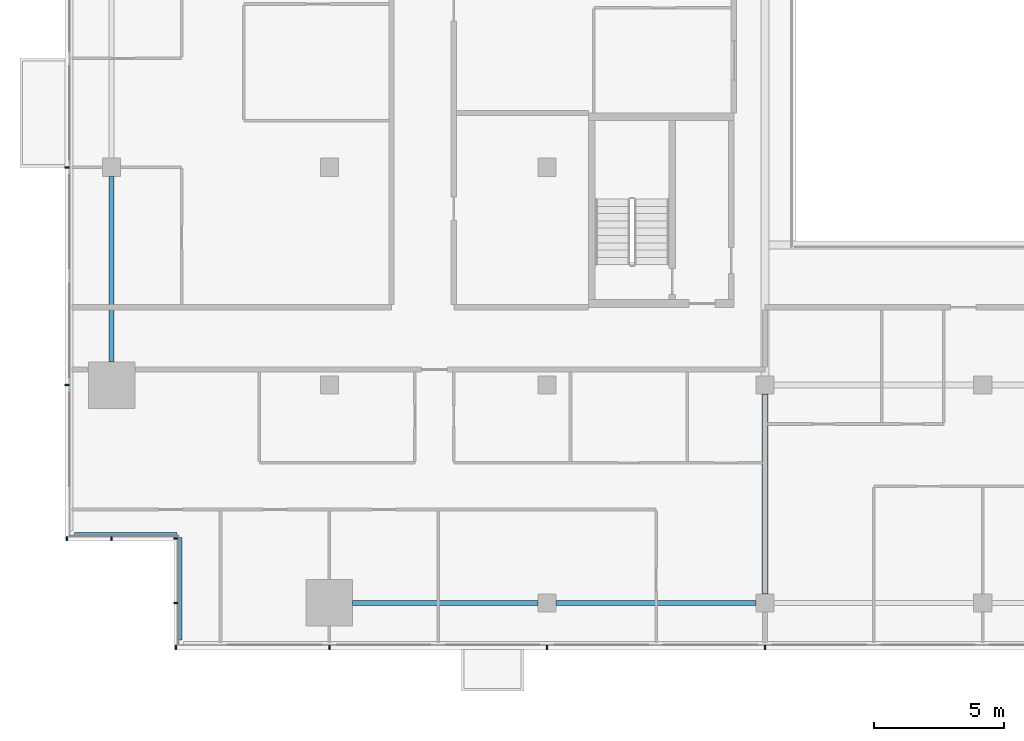
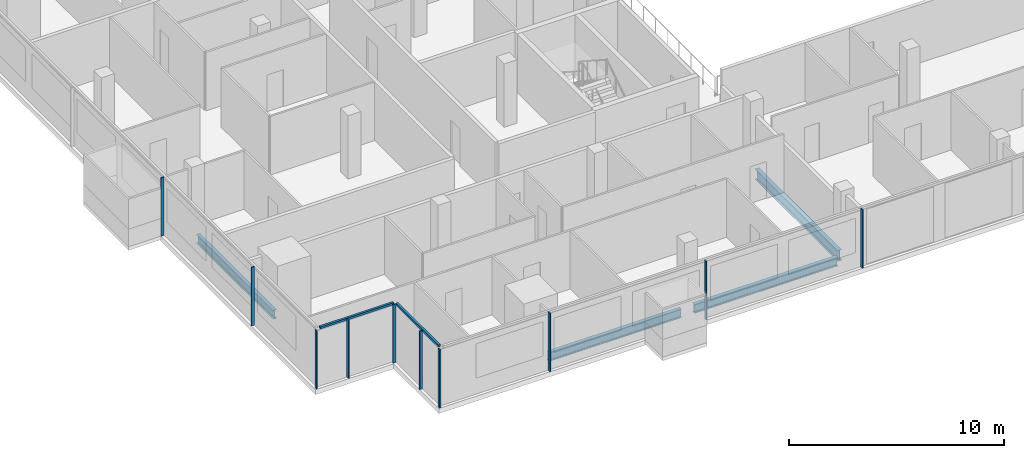
# One storey, part 2 of 28: 12 members, 4 beams, 4 elements without a shape of their own.
"""IFC4 building model written with IfcOpenShell, lengths in metres."""

from ifc_helpers import new_model, si_unit, direction, frame, origin, origin_2d, place, context, subcontext, project, spatial, rectangle, i_section, extrude, material, material_profile, profile_set, type_object, element, aggregate, save


model = new_model("IFC4")

# Units and contexts
model_context = context("Model", 3, precision=1e-05, world=origin(), true_north=direction((0.0, 1.0)))
body_context = subcontext(model_context, "Body", "Model", "MODEL_VIEW")
ifc_project = project(units=[si_unit("LENGTHUNIT", "METRE"), si_unit("AREAUNIT", "SQUARE_METRE"), si_unit("VOLUMEUNIT", "CUBIC_METRE"), si_unit("PLANEANGLEUNIT", "RADIAN"), si_unit("MASSUNIT", "GRAM", prefix="KILO")], contexts=[model_context])

# Site, building, storey
site_placement = place(None, origin())
site = spatial("IfcSite", under=ifc_project, at=site_placement, CompositionType="ELEMENT")
building_placement = place(site_placement, origin())
building = spatial("IfcBuilding", under=site, at=building_placement, Name="Saffron Gate Tower", CompositionType="ELEMENT")
storey_placement = place(building_placement, frame((0.0, 0.0, 176.25)))
storey = spatial("IfcBuildingStorey", under=building, at=storey_placement, Name="L43", CompositionType="ELEMENT", Elevation=176.25)

# Beams
ifc_material_1 = material(Name="Structural steel S355", Category="steel")
ifc_material_profile_1 = material_profile(ifc_material_1, i_section(OverallWidth=0.199951171875, OverallDepth=0.5, WebThickness=0.01025390625, FlangeThickness=0.01611328125, FilletRadius=0.02099609375, at=origin_2d()))
ifc_profile_set_1 = profile_set([ifc_material_profile_1], Name="Structural steel S355")
beam_type_1 = type_object("IfcBeamType", Name="B11 IPE 500", PredefinedType="SPANDREL", material=ifc_profile_set_1)
for number, where, z_axis, x_axis, name in (
    (1, (49.800048828125, 41.10009765625, -0.530029296875), (0.0, 1.0, 0.0), (-1.0, 0.0, 0.0), "B11 SPANDREL BEAM"),
    (2, (59.10009765625, 31.800048828125, -0.530029296875), (1.0, 0.0, 0.0), (0.0, 1.0, 0.0), "B11 SPANDREL BEAM"),
):
    element("IfcBeam", number, at=place(storey_placement, frame(where, z_axis=z_axis, x_axis=x_axis)), inside=storey, type_object=beam_type_1, Name=name, PredefinedType="SPANDREL", context=body_context, shape_type="SweptSolid", body=[
        extrude(i_section(OverallWidth=0.199951171875, OverallDepth=0.5, WebThickness=0.01025390625, FlangeThickness=0.01611328125, FilletRadius=0.02099609375, at=origin_2d()), origin(), (0.0, 0.0, 1.0), 7.14990234375),
    ])
beam_1_placement = place(storey_placement, frame((66.949951171875, 31.800048828125, -0.530029296875), z_axis=(1.0, 0.0, 0.0), x_axis=(0.0, 1.0, 0.0)))
element("IfcBeam", 3, at=beam_1_placement, inside=storey, type_object=beam_type_1, Name="B11 SPANDREL BEAM", PredefinedType="SPANDREL", context=body_context, shape_type="SweptSolid", body=[
    extrude(i_section(OverallWidth=0.199951171875, OverallDepth=0.5, WebThickness=0.01025390625, FlangeThickness=0.01611328125, FilletRadius=0.02099609375, at=origin_2d()), origin(), (0.0, 0.0, 1.0), 7.699951171875),
])
ifc_material_profile_2 = material_profile(ifc_material_1, i_section(OverallWidth=0.219970703125, OverallDepth=0.60009765625, WebThickness=0.011962890625, FlangeThickness=0.01904296875, FilletRadius=0.02392578125, at=origin_2d()))
ifc_profile_set_2 = profile_set([ifc_material_profile_2], Name="Structural steel S355")
beam_type_2 = type_object("IfcBeamType", Name="B15 IPE 600", PredefinedType="BEAM", material=ifc_profile_set_2)
beam_2_placement = place(storey_placement, frame((75.0, 32.14990234375, -0.580078125), z_axis=(0.0, 1.0, 0.0), x_axis=(-1.0, 0.0, 0.0)))
element("IfcBeam", 4, at=beam_2_placement, inside=storey, type_object=beam_type_2, Name="B15 FLOOR GIRDER", PredefinedType="BEAM", context=body_context, shape_type="SweptSolid", body=[
    extrude(i_section(OverallWidth=0.219970703125, OverallDepth=0.60009765625, WebThickness=0.011962890625, FlangeThickness=0.01904296875, FilletRadius=0.02392578125, at=origin_2d()), origin(), (0.0, 0.0, 1.0), 7.7001953125),
])

# Curtain wall, members
ifc_material_2 = material(Name="Aluminium, bronze anodised", Category="aluminium")
curtain_wall_type_1 = type_object("IfcCurtainWallType", Name="CWS1 curtain wall front facade", PredefinedType="NOTDEFINED", material=ifc_material_2)
curtain_wall_1_placement = place(storey_placement, origin())
curtain_wall_1 = element("IfcCurtainWall", 5, at=curtain_wall_1_placement, inside=storey, type_object=curtain_wall_type_1, Name="CWS1 run 1", PredefinedType="NOTDEFINED")
ifc_material_profile_3 = material_profile(ifc_material_2, rectangle(XDim=0.159912109375, YDim=0.06005859375, at=origin_2d()))
ifc_profile_set_3 = profile_set([ifc_material_profile_3], Name="Aluminium, bronze anodised")
member_type_1 = type_object("IfcMemberType", Name="CWS1 mullion 60x160", PredefinedType="MULLION", material=ifc_profile_set_3)
member_1_placement = place(storey_placement, frame((52.280029296875, 30.080078125, 0.0), z_axis=(0.0, 0.0, 1.0), x_axis=(0.0, 1.0, 0.0)))
member_1 = element("IfcMember", 6, at=member_1_placement, type_object=member_type_1, Name="CWS1 mullion 1", PredefinedType="MULLION", context=body_context, shape_type="SweptSolid", body=[
    extrude(rectangle(XDim=0.159912109375, YDim=0.06005859375, at=origin_2d()), origin(), (0.0, 0.0, 1.0), 3.320068359375),
])
member_2_placement = place(storey_placement, frame((58.199951171875, 30.080078125, 0.0), z_axis=(0.0, 0.0, 1.0), x_axis=(0.0, 1.0, 0.0)))
member_2 = element("IfcMember", 7, at=member_2_placement, type_object=member_type_1, Name="CWS1 mullion 2", PredefinedType="MULLION", context=body_context, shape_type="SweptSolid", body=[
    extrude(rectangle(XDim=0.159912109375, YDim=0.06005859375, at=origin_2d()), origin(), (0.0, 0.0, 1.0), 3.320068359375),
])
member_3_placement = place(storey_placement, frame((66.60009765625, 30.080078125, 0.0), z_axis=(0.0, 0.0, 1.0), x_axis=(0.0, 1.0, 0.0)))
member_3 = element("IfcMember", 8, at=member_3_placement, type_object=member_type_1, Name="CWS1 mullion 3", PredefinedType="MULLION", context=body_context, shape_type="SweptSolid", body=[
    extrude(rectangle(XDim=0.159912109375, YDim=0.06005859375, at=origin_2d()), origin(), (0.0, 0.0, 1.0), 3.320068359375),
])
member_4_placement = place(storey_placement, frame((75.0, 30.080078125, 0.0), z_axis=(0.0, 0.0, 1.0), x_axis=(0.0, 1.0, 0.0)))
member_4 = element("IfcMember", 9, at=member_4_placement, type_object=member_type_1, Name="CWS1 mullion 4", PredefinedType="MULLION", context=body_context, shape_type="SweptSolid", body=[
    extrude(rectangle(XDim=0.159912109375, YDim=0.06005859375, at=origin_2d()), origin(), (0.0, 0.0, 1.0), 3.320068359375),
])
aggregate(curtain_wall_1, [member_1, member_2, member_3, member_4])

curtain_wall_type_2 = type_object("IfcCurtainWallType", Name="CWS2 curtain wall side facades", PredefinedType="NOTDEFINED", material=ifc_material_2)
curtain_wall_2_placement = place(storey_placement, origin())
curtain_wall_2 = element("IfcCurtainWall", 10, at=curtain_wall_2_placement, inside=storey, type_object=curtain_wall_type_2, Name="CWS2 run 10", PredefinedType="NOTDEFINED")
ifc_material_profile_4 = material_profile(ifc_material_2, rectangle(XDim=0.159912109375, YDim=0.06005859375, at=origin_2d()))
ifc_profile_set_4 = profile_set([ifc_material_profile_4], Name="Aluminium, bronze anodised")
member_type_2 = type_object("IfcMemberType", Name="CWS2 mullion 60x160", PredefinedType="MULLION", material=ifc_profile_set_4)
member_5_placement = place(storey_placement, frame((48.080078125, 48.60009765625, 0.0), z_axis=(0.0, 0.0, 1.0), x_axis=(1.0, 0.0, 0.0)))
member_5 = element("IfcMember", 11, at=member_5_placement, type_object=member_type_2, Name="CWS2 mullion 4", PredefinedType="MULLION", context=body_context, shape_type="SweptSolid", body=[
    extrude(rectangle(XDim=0.159912109375, YDim=0.06005859375, at=origin_2d()), origin(), (0.0, 0.0, 1.0), 3.320068359375),
])
member_6_placement = place(storey_placement, frame((48.080078125, 40.199951171875, 0.0), z_axis=(0.0, 0.0, 1.0), x_axis=(1.0, 0.0, 0.0)))
member_6 = element("IfcMember", 12, at=member_6_placement, type_object=member_type_2, Name="CWS2 mullion 5", PredefinedType="MULLION", context=body_context, shape_type="SweptSolid", body=[
    extrude(rectangle(XDim=0.159912109375, YDim=0.06005859375, at=origin_2d()), origin(), (0.0, 0.0, 1.0), 3.320068359375),
])
aggregate(curtain_wall_2, [member_5, member_6])

# Curtain wall, member
curtain_wall_type_3 = type_object("IfcCurtainWallType", Name="CWS4 curtain wall corner returns", PredefinedType="NOTDEFINED", material=ifc_material_2)
curtain_wall_3_placement = place(storey_placement, origin())
curtain_wall_3 = element("IfcCurtainWall", 13, at=curtain_wall_3_placement, inside=storey, type_object=curtain_wall_type_3, Name="CWS4 run 11", PredefinedType="NOTDEFINED")
ifc_material_profile_5 = material_profile(ifc_material_2, rectangle(XDim=0.1201171875, YDim=0.1201171875, at=origin_2d()))
ifc_profile_set_5 = profile_set([ifc_material_profile_5], Name="Aluminium, bronze anodised")
member_type_3 = type_object("IfcMemberType", Name="CWS4 head transom", PredefinedType="USERDEFINED", material=ifc_profile_set_5)
member_7_placement = place(storey_placement, frame((48.367919921875, 34.447998046875, 3.260009765625), z_axis=(1.0, 0.0, 0.0), x_axis=(0.0, 1.0, 0.0)))
member_7 = element("IfcMember", 14, at=member_7_placement, type_object=member_type_3, Name="CWS4 head transom", ObjectType="TRANSOM", PredefinedType="USERDEFINED", context=body_context, shape_type="SweptSolid", body=[
    extrude(rectangle(XDim=0.1201171875, YDim=0.1201171875, at=origin_2d()), origin(), (0.0, 0.0, 1.0), 3.9599609375),
])

curtain_wall_4_placement = place(storey_placement, origin())
curtain_wall_4 = element("IfcCurtainWall", 15, at=curtain_wall_4_placement, inside=storey, type_object=curtain_wall_type_3, Name="CWS4 run 12", PredefinedType="NOTDEFINED")
member_8_placement = place(storey_placement, frame((52.447998046875, 34.327880859375, 3.260009765625), z_axis=(0.0, -1.0, 0.0), x_axis=(1.0, 0.0, 0.0)))
member_8 = element("IfcMember", 16, at=member_8_placement, type_object=member_type_3, Name="CWS4 head transom", ObjectType="TRANSOM", PredefinedType="USERDEFINED", context=body_context, shape_type="SweptSolid", body=[
    extrude(rectangle(XDim=0.1201171875, YDim=0.1201171875, at=origin_2d()), origin(), (0.0, 0.0, 1.0), 3.9599609375),
])

# Member
ifc_material_profile_6 = material_profile(ifc_material_2, rectangle(XDim=0.159912109375, YDim=0.06005859375, at=origin_2d()))
ifc_profile_set_6 = profile_set([ifc_material_profile_6], Name="Aluminium, bronze anodised")
member_type_4 = type_object("IfcMemberType", Name="CWS4 mullion 60x160", PredefinedType="MULLION", material=ifc_profile_set_6)
member_9_placement = place(storey_placement, frame((48.080078125, 34.280029296875, 0.0), z_axis=(0.0, 0.0, 1.0), x_axis=(0.0, 1.0, 0.0)))
member_9 = element("IfcMember", 17, at=member_9_placement, type_object=member_type_4, Name="CWS4 mullion 1", PredefinedType="MULLION", context=body_context, shape_type="SweptSolid", body=[
    extrude(rectangle(XDim=0.159912109375, YDim=0.06005859375, at=origin_2d()), origin(), (0.0, 0.0, 1.0), 3.320068359375),
])

member_10_placement = place(storey_placement, frame((49.800048828125, 34.280029296875, 0.0), z_axis=(0.0, 0.0, 1.0), x_axis=(0.0, 1.0, 0.0)))
member_10 = element("IfcMember", 18, at=member_10_placement, type_object=member_type_4, Name="CWS4 mullion 2", PredefinedType="MULLION", context=body_context, shape_type="SweptSolid", body=[
    extrude(rectangle(XDim=0.159912109375, YDim=0.06005859375, at=origin_2d()), origin(), (0.0, 0.0, 1.0), 3.320068359375),
])

aggregate(curtain_wall_3, [member_9, member_10, member_7])

member_11_placement = place(storey_placement, frame((52.280029296875, 34.280029296875, 0.0), z_axis=(0.0, 0.0, 1.0), x_axis=(1.0, 0.0, 0.0)))
member_11 = element("IfcMember", 19, at=member_11_placement, type_object=member_type_4, Name="CWS4 mullion 1", PredefinedType="MULLION", context=body_context, shape_type="SweptSolid", body=[
    extrude(rectangle(XDim=0.159912109375, YDim=0.06005859375, at=origin_2d()), origin(), (0.0, 0.0, 1.0), 3.320068359375),
])

member_12_placement = place(storey_placement, frame((52.280029296875, 31.800048828125, 0.0), z_axis=(0.0, 0.0, 1.0), x_axis=(1.0, 0.0, 0.0)))
member_12 = element("IfcMember", 20, at=member_12_placement, type_object=member_type_4, Name="CWS4 mullion 2", PredefinedType="MULLION", context=body_context, shape_type="SweptSolid", body=[
    extrude(rectangle(XDim=0.159912109375, YDim=0.06005859375, at=origin_2d()), origin(), (0.0, 0.0, 1.0), 3.320068359375),
])

aggregate(curtain_wall_4, [member_11, member_12, member_8])

save(model, "model.ifc")
